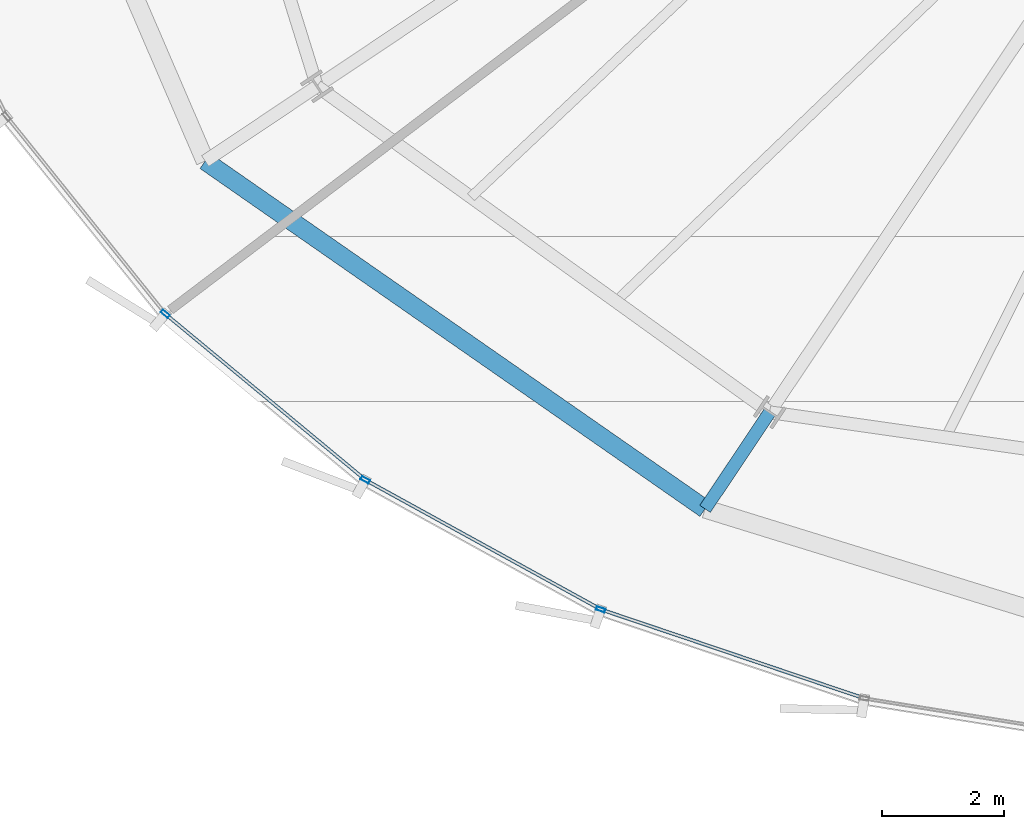
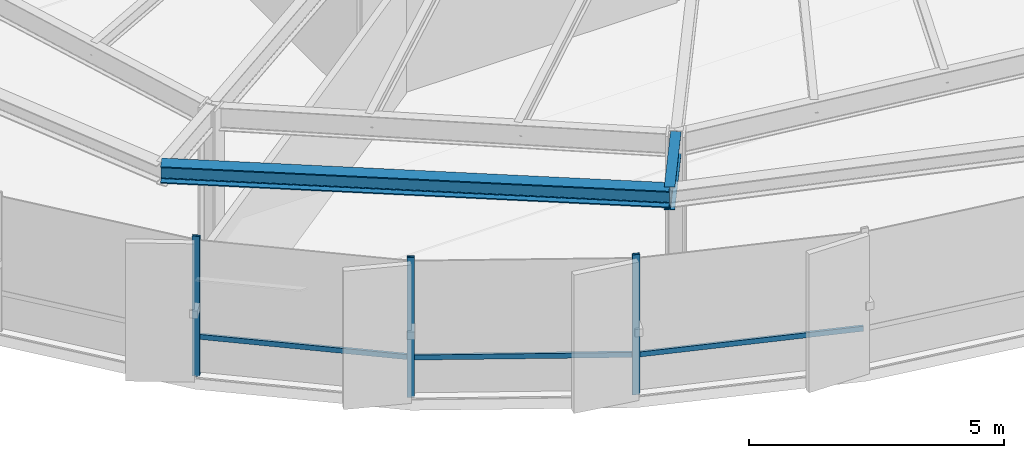
# One storey, part 2 of 33: 6 members, 2 beams, 1 element without a shape of its own.
"""IFC4 building model written with IfcOpenShell, lengths in metres."""

from ifc_helpers import new_model, si_unit, direction, frame, origin, origin_2d, place, context, subcontext, project, spatial, hollow_rectangle, i_section, extrude, source, transform, mapped, material, layer, layer_set, material_profile, profile_set, type_object, element, aggregate, save


model = new_model("IFC4")

# Units and contexts
model_context = context("Model", 3, precision=1e-05, world=origin(), true_north=direction((0.0, 1.0)))
body_context = subcontext(model_context, "Body", "Model", "MODEL_VIEW")
ifc_project = project(units=[si_unit("LENGTHUNIT", "METRE"), si_unit("AREAUNIT", "SQUARE_METRE"), si_unit("VOLUMEUNIT", "CUBIC_METRE"), si_unit("PLANEANGLEUNIT", "RADIAN"), si_unit("MASSUNIT", "GRAM", prefix="KILO"), si_unit("THERMODYNAMICTEMPERATUREUNIT", "KELVIN")], contexts=[model_context])

# Site, building, storey
site_placement = place(None, origin())
site = spatial("IfcSite", under=ifc_project, at=site_placement, CompositionType="ELEMENT")
building_placement = place(site_placement, origin())
building = spatial("IfcBuilding", under=site, at=building_placement, Name="Kethvar Cultural Tower", CompositionType="ELEMENT")
storey_placement = place(building_placement, frame((0.0, 0.0, 118.0)))
storey = spatial("IfcBuildingStorey", under=building, at=storey_placement, Name="L29", CompositionType="ELEMENT", Elevation=118.0)

# Beams
ifc_material_1 = material(Name="Steel S355J2", Category="steel")
ifc_material_profile_1 = material_profile(ifc_material_1, i_section(OverallWidth=0.2099609375, OverallDepth=0.550048828125, WebThickness=0.010986328125, FlangeThickness=0.01708984375, FilletRadius=0.02392578125, at=origin_2d()), Name="Steel S355J2 — IPE550")
ifc_profile_set_1 = profile_set([ifc_material_profile_1], Name="Steel S355J2 — IPE550")
beam_type_1 = type_object("IfcBeamType", Name="BM-IPE550", PredefinedType="BEAM", material=ifc_profile_set_1)
shared_shape_1 = source(origin(), body_context, "Body", "SweptSolid", [
    extrude(i_section(OverallWidth=0.2099609375, OverallDepth=0.550048828125, WebThickness=0.010986328125, FlangeThickness=0.01708984375, FilletRadius=0.02392578125, at=origin_2d()), origin(), (0.0, 0.0, 1.0), 1.908935546875),
])
beam_1_placement = place(storey_placement, frame((34.350830078125, 9.16845703125, 3.072998046875), z_axis=(-0.555585324113, -0.831459528558, 0.0), x_axis=(0.831459528558, -0.555585324113, 0.0)))
element("IfcBeam", 1, at=beam_1_placement, inside=storey, type_object=beam_type_1, Name="L29 Perimeter Cantilever Beam RC-11", PredefinedType="BEAM", context=body_context, shape_type="MappedRepresentation", body=[
    mapped(shared_shape_1, transform((0.0, 0.0, 0.0), scale=1.0)),
])
ifc_material_profile_2 = material_profile(ifc_material_1, i_section(OverallWidth=0.300048828125, OverallDepth=0.39990234375, WebThickness=0.013427734375, FlangeThickness=0.02392578125, FilletRadius=0.027099609375, at=origin_2d()), Name="Steel S355J2 — HEB400")
ifc_profile_set_2 = profile_set([ifc_material_profile_2], Name="Steel S355J2 — HEB400")
beam_type_2 = type_object("IfcBeamType", Name="BM-SP400", PredefinedType="SPANDREL", material=ifc_profile_set_2)
shared_shape_2 = source(origin(), body_context, "Body", "SweptSolid", [
    extrude(i_section(OverallWidth=0.300048828125, OverallDepth=0.39990234375, WebThickness=0.013427734375, FlangeThickness=0.02392578125, FilletRadius=0.027099609375, at=origin_2d()), origin(), (0.0, 0.0, 1.0), 9.995849609375),
])
beam_2_placement = place(storey_placement, frame((25.085693359375, 13.291015625, 3.14794921875), z_axis=(0.820803135537, -0.571211180468, 0.0), x_axis=(0.571211180468, 0.820803135537, 0.0)))
element("IfcBeam", 2, at=beam_2_placement, inside=storey, type_object=beam_type_2, Name="L29 Perimeter Spandrel Beam SP-10", PredefinedType="SPANDREL", context=body_context, shape_type="MappedRepresentation", body=[
    mapped(shared_shape_2, transform((0.0, 0.0, 0.0), scale=1.0)),
])

# Curtain wall, members
ifc_material_2 = material(Name="Aluminium 6063-T6", Category="aluminium")
ifc_layer = layer(ifc_material_2, 0.179931640625, Name="Aluminium 6063-T6", Category="aluminium")
ifc_layer_set = layer_set([ifc_layer], Name="Aluminium 6063-T6 (180 mm)")
curtain_wall_type = type_object("IfcCurtainWallType", Name="CW-SYS-03-Z2", PredefinedType="NOTDEFINED", material=ifc_layer_set)
curtain_wall_placement = place(storey_placement, origin())
curtain_wall = element("IfcCurtainWall", 3, at=curtain_wall_placement, inside=storey, type_object=curtain_wall_type, Name="L29 Curtain Wall Run 04", PredefinedType="NOTDEFINED")
ifc_material_profile_3 = material_profile(ifc_material_2, hollow_rectangle(XDim=0.06005859375, YDim=0.14990234375, WallThickness=0.0048828125, at=origin_2d()), Name="Aluminium 6063-T6 — RHS150x60x5")
ifc_profile_set_3 = profile_set([ifc_material_profile_3], Name="Aluminium 6063-T6 — RHS150x60x5")
member_type_1 = type_object("IfcMemberType", Name="CW-SYS-03-Z2-MUL", PredefinedType="MULLION", material=ifc_profile_set_3)
shared_shape_3 = source(origin(), body_context, "Body", "SweptSolid", [
    extrude(hollow_rectangle(XDim=0.06005859375, YDim=0.14990234375, WallThickness=0.0048828125, at=origin_2d()), origin(), (0.0, 0.0, 1.0), 3.35009765625),
])
member_1_placement = place(storey_placement, frame((24.4296875, 10.782470703125, 0.0), z_axis=(0.0, 0.0, 1.0), x_axis=(0.638338004137, 0.76975619028, 0.0)))
member_1 = element("IfcMember", 4, at=member_1_placement, type_object=member_type_1, Name="CW-L29-R04 Mullion 3", PredefinedType="MULLION", context=body_context, shape_type="MappedRepresentation", body=[
    mapped(shared_shape_3, transform((0.0, 0.0, 0.0), scale=1.0)),
])
member_2_placement = place(storey_placement, frame((27.7119140625, 8.057861328125, 0.0), z_axis=(0.0, 0.0, 1.0), x_axis=(0.481723084935, 0.876323495886, 0.0)))
member_2 = element("IfcMember", 5, at=member_2_placement, type_object=member_type_1, Name="CW-L29-R04 Mullion 4", PredefinedType="MULLION", context=body_context, shape_type="MappedRepresentation", body=[
    mapped(shared_shape_3, transform((0.0, 0.0, 0.0), scale=1.0)),
])
member_3_placement = place(storey_placement, frame((31.575439453125, 5.931884765625, 0.0), z_axis=(0.0, 0.0, 1.0), x_axis=(0.319687049064, 0.9475231874, 0.0)))
member_3 = element("IfcMember", 6, at=member_3_placement, type_object=member_type_1, Name="CW-L29-R04 Mullion 5", PredefinedType="MULLION", context=body_context, shape_type="MappedRepresentation", body=[
    mapped(shared_shape_3, transform((0.0, 0.0, 0.0), scale=1.0)),
])
ifc_material_profile_4 = material_profile(ifc_material_2, hollow_rectangle(XDim=0.054931640625, YDim=0.1201171875, WallThickness=0.00390625, at=origin_2d()), Name="Aluminium 6063-T6 — RHS120x55x4")
ifc_profile_set_4 = profile_set([ifc_material_profile_4], Name="Aluminium 6063-T6 — RHS120x55x4")
member_type_2 = type_object("IfcMemberType", Name="CW-SYS-03-Z2-TRN", PredefinedType="USERDEFINED", material=ifc_profile_set_4)
shared_shape_4 = source(origin(), body_context, "Body", "SweptSolid", [
    extrude(hollow_rectangle(XDim=0.054931640625, YDim=0.1201171875, WallThickness=0.00390625, at=origin_2d()), origin(), (0.0, 0.0, 1.0), 4.5),
])
member_4_placement = place(storey_placement, frame((31.616455078125, 5.918212890625, 0.949951171875), z_axis=(0.947515905703, -0.319708630536, 0.0), x_axis=(0.319708630536, 0.947515905703, 0.0)))
member_4 = element("IfcMember", 7, at=member_4_placement, type_object=member_type_2, Name="CW-L29-R04 Transom 5", ObjectType="TRANSOM", PredefinedType="USERDEFINED", context=body_context, shape_type="MappedRepresentation", body=[
    mapped(shared_shape_4, transform((0.0, 0.0, 0.0), scale=1.0)),
])
shared_shape_5 = source(origin(), body_context, "Body", "SweptSolid", [
    extrude(hollow_rectangle(XDim=0.054931640625, YDim=0.1201171875, WallThickness=0.00390625, at=origin_2d()), origin(), (0.0, 0.0, 1.0), 4.343505859375),
])
member_5_placement = place(storey_placement, frame((27.75, 8.037109375, 0.949951171875), z_axis=(0.876298968523, -0.48176770104, 0.0), x_axis=(0.48176770104, 0.876298968523, 0.0)))
member_5 = element("IfcMember", 8, at=member_5_placement, type_object=member_type_2, Name="CW-L29-R04 Transom 4", ObjectType="TRANSOM", PredefinedType="USERDEFINED", context=body_context, shape_type="MappedRepresentation", body=[
    mapped(shared_shape_5, transform((0.0, 0.0, 0.0), scale=1.0)),
])
shared_shape_6 = source(origin(), body_context, "Body", "SweptSolid", [
    extrude(hollow_rectangle(XDim=0.054931640625, YDim=0.1201171875, WallThickness=0.00390625, at=origin_2d()), origin(), (0.0, 0.0, 1.0), 4.201171875),
])
member_6_placement = place(storey_placement, frame((24.462890625, 10.7548828125, 0.949951171875), z_axis=(0.76974333505, -0.638353505626, 0.0), x_axis=(0.638353505626, 0.76974333505, 0.0)))
member_6 = element("IfcMember", 9, at=member_6_placement, type_object=member_type_2, Name="CW-L29-R04 Transom 3", ObjectType="TRANSOM", PredefinedType="USERDEFINED", context=body_context, shape_type="MappedRepresentation", body=[
    mapped(shared_shape_6, transform((0.0, 0.0, 0.0), scale=1.0)),
])
aggregate(curtain_wall, [member_1, member_2, member_3, member_6, member_5, member_4])

save(model, "model.ifc")
